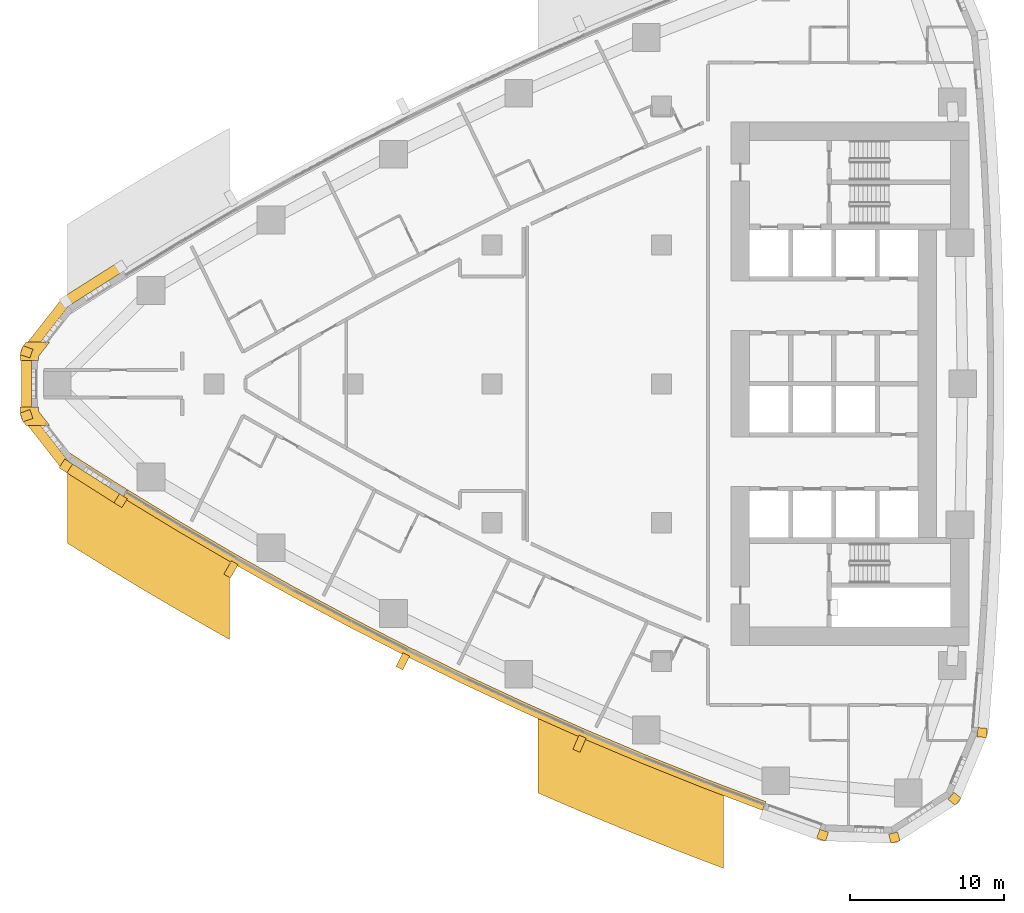
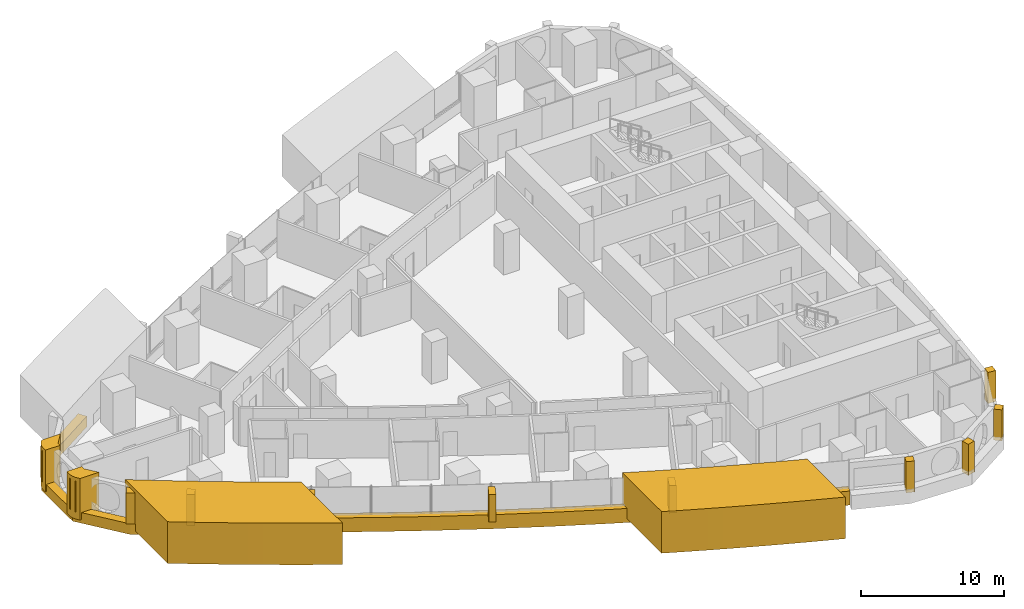
# One storey, part 14 of 18: 17 coverings.
"""IFC4 building model written with IfcOpenShell, lengths in metres."""

from ifc_helpers import new_model, si_unit, direction, frame, frame_2d, origin, place, context, subcontext, project, spatial, polyline, rectangle, outline, extrude, material, layer, layer_set, type_object, element, save


model = new_model("IFC4")

# Units and contexts
model_context = context("Model", 3, precision=1e-05, world=origin(), true_north=direction((0.0, 1.0)))
body_context = subcontext(model_context, "Body", "Model", "MODEL_VIEW")
ifc_project = project(units=[si_unit("LENGTHUNIT", "METRE"), si_unit("AREAUNIT", "SQUARE_METRE"), si_unit("VOLUMEUNIT", "CUBIC_METRE"), si_unit("PLANEANGLEUNIT", "RADIAN"), si_unit("MASSUNIT", "GRAM", prefix="KILO")], contexts=[model_context])

# Site, building, storey
site_placement = place(None, origin())
site = spatial("IfcSite", under=ifc_project, at=site_placement, CompositionType="ELEMENT")
building_placement = place(site_placement, origin())
building = spatial("IfcBuilding", under=site, at=building_placement, Name="Ostrand Prow Hotel Tower", CompositionType="ELEMENT")
storey_placement = place(building_placement, frame((0.0, 0.0, 57.35009765625)))
storey = spatial("IfcBuildingStorey", under=building, at=storey_placement, Name="L12", CompositionType="ELEMENT", Elevation=57.35009765625)

# Coverings
ifc_material_1 = material(Name="Bronze anodised aluminium cladding", Category="aluminium")
ifc_layer_1 = layer(ifc_material_1, 0.60009765625)
ifc_layer_set_1 = layer_set([ifc_layer_1], Name="Bronze anodised aluminium cladding")
covering_type_1 = type_object("IfcCoveringType", Name="Bronze prow band 899x600", PredefinedType="CLADDING", material=ifc_layer_set_1)
covering_1_placement = place(storey_placement, frame((0.0, 0.0, -0.300048828125)))
element("IfcCovering", 1, at=covering_1_placement, inside=storey, type_object=covering_type_1, Name="Bronze prow band", PredefinedType="CLADDING", context=body_context, shape_type="SweptSolid", body=[
    extrude(outline(polyline([(9.77734375, 7.864013671875), (6.2197265625, 5.6083984375), (3.53369140625, 2.178466796875), (3.53369140625, -2.178466796875), (6.2197265625, -5.6083984375), (9.77734375, -7.864013671875), (10.13623046875, -7.286376953125), (6.589111328125, -5.03759765625), (4.176513671875, -1.95654296875), (4.176513671875, 1.95654296875), (6.589111328125, 5.03759765625), (10.13623046875, 7.286376953125), (9.77734375, 7.864013671875)])), origin(), (0.0, 0.0, 1.0), 0.89990234375),
])
ifc_material_2 = material(Name="Bronze anodised aluminium cladding", Category="aluminium")
ifc_layer_2 = layer(ifc_material_2, 0.60009765625)
ifc_layer_set_2 = layer_set([ifc_layer_2], Name="Bronze anodised aluminium cladding")
covering_type_2 = type_object("IfcCoveringType", Name="Bronze spandrel band 1200x600", PredefinedType="CLADDING", material=ifc_layer_set_2)
covering_2_placement = place(storey_placement, frame((0.0, 0.0, -0.300048828125)))
element("IfcCovering", 2, at=covering_2_placement, inside=storey, type_object=covering_type_2, Name="Spandrel band S1", PredefinedType="CLADDING", context=body_context, shape_type="SweptSolid", body=[
    extrude(outline(polyline([(10.08349609375, -7.371337890625), (13.672607421875, -9.555419921875), (17.301513671875, -11.673095703125), (20.968994140625, -13.723876953125), (24.673095703125, -15.70654296875), (28.413330078125, -17.62060546875), (32.188232421875, -19.4658203125), (35.996337890625, -21.2412109375), (39.83642578125, -22.946044921875), (43.70751953125, -24.580078125), (47.607666015625, -26.142578125), (51.5361328125, -27.6328125), (51.743896484375, -27.070068359375), (47.82568359375, -25.58349609375), (43.935791015625, -24.025146484375), (40.074951171875, -22.3955078125), (36.244873046875, -20.695068359375), (32.44677734375, -18.92431640625), (28.681884765625, -17.083984375), (24.951416015625, -15.1748046875), (21.2568359375, -13.197509765625), (17.59912109375, -11.152099609375), (13.97998046875, -9.0400390625), (10.39990234375, -6.86181640625), (10.08349609375, -7.371337890625)])), origin(), (0.0, 0.0, 1.0), 1.199951171875),
])
ifc_material_3 = material(Name="Limestone cladding", Category="masonry")
ifc_layer_3 = layer(ifc_material_3, 5.0)
ifc_layer_set_3 = layer_set([ifc_layer_3], Name="Limestone cladding")
covering_type_3 = type_object("IfcCoveringType", Name="Portal jamb pilaster limestone", PredefinedType="CLADDING", material=ifc_layer_set_3)
covering_3_placement = place(storey_placement, origin())
element("IfcCovering", 3, at=covering_3_placement, inside=storey, type_object=covering_type_3, Name="Portal jamb SA L12", PredefinedType="CLADDING", context=body_context, shape_type="SweptSolid", body=[
    extrude(outline(polyline([(6.5, -4.3837890625), (6.5, -10.319580078125), (7.45458984375, -10.917724609375), (8.4091796875, -11.509521484375), (9.363525390625, -12.09521484375), (10.318115234375, -12.67431640625), (11.272705078125, -13.247314453125), (12.227294921875, -13.81396484375), (13.181884765625, -14.37451171875), (14.136474609375, -14.92919921875), (15.0908203125, -15.4775390625), (16.04541015625, -16.020263671875), (17.0, -16.556640625), (17.0, -10.80859375), (16.04541015625, -10.25634765625), (15.0908203125, -9.697998046875), (14.136474609375, -9.13330078125), (13.181884765625, -8.562255859375), (12.227294921875, -7.98486328125), (11.272705078125, -7.401123046875), (10.318115234375, -6.810791015625), (9.363525390625, -6.214111328125), (8.4091796875, -5.610595703125), (7.45458984375, -5.00048828125), (6.5, -4.3837890625)])), origin(), (0.0, 0.0, 1.0), 3.5498046875),
])
covering_4_placement = place(storey_placement, origin())
element("IfcCovering", 4, at=covering_4_placement, inside=storey, type_object=covering_type_3, Name="Portal jamb SB L12", PredefinedType="CLADDING", context=body_context, shape_type="SweptSolid", body=[
    extrude(outline(polyline([(37.0, -21.037109375), (37.0, -26.50927734375), (38.0, -26.945556640625), (39.0, -27.376220703125), (40.0, -27.801513671875), (41.0, -28.22119140625), (42.0, -28.635498046875), (43.0, -29.044189453125), (44.0, -29.447509765625), (45.0, -29.845703125), (46.0, -30.23828125), (47.0, -30.62548828125), (48.0, -31.0078125), (49.0, -31.384521484375), (49.0, -26.03759765625), (48.0, -25.6513671875), (47.0, -25.259765625), (46.0, -24.862548828125), (45.0, -24.459716796875), (44.0, -24.051513671875), (43.0, -23.637939453125), (42.0, -23.218505859375), (41.0, -22.793701171875), (40.0, -22.363037109375), (39.0, -21.9267578125), (38.0, -21.484619140625), (37.0, -21.037109375)])), origin(), (0.0, 0.0, 1.0), 3.5498046875),
])
ifc_material_4 = material(Name="Limestone cladding", Category="masonry")
ifc_layer_4 = layer(ifc_material_4, 0.5)
ifc_layer_set_4 = layer_set([ifc_layer_4], Name="Limestone cladding")
covering_type_4 = type_object("IfcCoveringType", Name="Precast stone fin 500x900", PredefinedType="CLADDING", material=ifc_layer_set_4)
for number, where, z_axis, x_axis, name in (
    (5, (17.351318359375, -11.58642578125, 0.89990234375), (0.0, 0.0, 1.0), (-0.496138938357, -0.868243142124, 0.0), "Stone fin S 3"),
    (6, (28.458251953125, -17.53125, 0.89990234375), (0.0, 0.0, 1.0), (-0.447506538147, -0.894280659701, 0.0), "Stone fin S 6"),
    (7, (39.876220703125, -22.854248046875, 0.89990234375), (0.0, 0.0, 1.0), (-0.397216867903, -0.917724773477, 0.0), "Stone fin S 9"),
):
    element("IfcCovering", number, at=place(storey_placement, frame(where, z_axis=z_axis, x_axis=x_axis)), inside=storey, type_object=covering_type_4, Name=name, PredefinedType="CLADDING", context=body_context, shape_type="SweptSolid", body=[
        extrude(rectangle(XDim=1.0, YDim=0.5, at=frame_2d((0.5, 0.0))), origin(), (0.0, 0.0, 1.0), 2.35009765625),
    ])
ifc_material_5 = material(Name="Limestone cladding", Category="masonry")
ifc_layer_5 = layer(ifc_material_5, 0.60009765625)
ifc_layer_set_5 = layer_set([ifc_layer_5], Name="Limestone cladding")
covering_type_5 = type_object("IfcCoveringType", Name="Precast stone prow rib 600x600", PredefinedType="CLADDING", material=ifc_layer_set_5)
for number, where, z_axis, x_axis, name in (
    (8, (4.176513671875, 1.95654296875, 0.599853515625), (0.0, 0.0, 1.0), (-0.945254650653, 0.326333641262, 0.0), "Stone prow rib 3"),
    (9, (4.176513671875, -1.95654296875, 0.599853515625), (0.0, 0.0, 1.0), (-0.945254650653, -0.326333641262, 0.0), "Stone prow rib 4"),
    (10, (6.589111328125, -5.03759765625, 0.599853515625), (0.0, 0.0, 1.0), (-0.543295944087, -0.839541253983, 0.0), "Stone prow rib 5"),
    (11, (10.13623046875, -7.286376953125, 0.599853515625), (0.0, 0.0, 1.0), (-0.527738148304, -0.849407114889, 0.0), "Stone prow rib 6"),
):
    element("IfcCovering", number, at=place(storey_placement, frame(where, z_axis=z_axis, x_axis=x_axis)), inside=storey, type_object=covering_type_5, Name=name, PredefinedType="CLADDING", context=body_context, shape_type="SweptSolid", body=[
        extrude(rectangle(XDim=0.679931640625, YDim=0.60009765625, at=frame_2d((0.33984375, 0.0))), origin(), (0.0, 0.0, 1.0), 2.650146484375),
    ])
for number, where, z_axis, x_axis, name in (
    (12, (55.524169921875, -28.956298828125, 0.599853515625), (0.0, 0.0, 1.0), (-0.328773122904, -0.94440893349, 0.0), "Stone corner rib 2a"),
    (13, (59.98681640625, -29.1025390625, 0.599853515625), (0.0, 0.0, 1.0), (0.266111535611, -0.963942244439, 0.0), "Stone corner rib 3a"),
    (14, (63.74169921875, -26.6865234375, 0.599853515625), (0.0, 0.0, 1.0), (0.766985844654, -0.641664019639, 0.0), "Stone corner rib 4a"),
    (15, (65.4580078125, -22.564453125, 0.599853515625), (0.0, 0.0, 1.0), (0.995724747837, -0.09237005221, 0.0), "Stone corner rib 4b"),
):
    element("IfcCovering", number, at=place(storey_placement, frame(where, z_axis=z_axis, x_axis=x_axis)), inside=storey, type_object=covering_type_5, Name=name, PredefinedType="CLADDING", context=body_context, shape_type="SweptSolid", body=[
        extrude(rectangle(XDim=0.60009765625, YDim=0.60009765625, at=frame_2d((0.300048828125, 0.0))), origin(), (0.0, 0.0, 1.0), 2.650146484375),
    ])
ifc_material_6 = material(Name="Limestone cladding", Category="masonry")
ifc_layer_6 = layer(ifc_material_6, 3.0)
ifc_layer_set_6 = layer_set([ifc_layer_6], Name="Limestone cladding")
covering_type_6 = type_object("IfcCoveringType", Name="Prow nose pier limestone", PredefinedType="CLADDING", material=ifc_layer_set_6)
covering_5_placement = place(storey_placement, origin())
element("IfcCovering", 16, at=covering_5_placement, inside=storey, type_object=covering_type_6, Name="Prow spine fin N L12", PredefinedType="CLADDING", context=body_context, shape_type="SweptSolid", body=[
    extrude(outline(polyline([(3.44921875, 1.793701171875), (3.44921875, 1.5), (4.649169921875, 1.5), (4.649169921875, 1.793701171875), (5.35888671875, 2.699951171875), (3.834716796875, 2.699951171875), (3.704345703125, 2.533447265625), (3.638427734375, 2.440673828125), (3.581787109375, 2.341796875), (3.53466796875, 2.23828125), (3.49755859375, 2.130615234375), (3.470703125, 2.02001953125), (3.45458984375, 1.9072265625), (3.44921875, 1.793701171875)])), origin(), (0.0, 0.0, 1.0), 3.5498046875),
])
covering_6_placement = place(storey_placement, origin())
element("IfcCovering", 17, at=covering_6_placement, inside=storey, type_object=covering_type_6, Name="Prow spine fin S L12", PredefinedType="CLADDING", context=body_context, shape_type="SweptSolid", body=[
    extrude(outline(polyline([(3.704345703125, -2.533447265625), (3.834716796875, -2.699951171875), (5.35888671875, -2.699951171875), (4.649169921875, -1.793701171875), (4.649169921875, -1.5), (3.44921875, -1.5), (3.44921875, -1.793701171875), (3.45458984375, -1.9072265625), (3.470703125, -2.02001953125), (3.49755859375, -2.130615234375), (3.53466796875, -2.23828125), (3.581787109375, -2.341796875), (3.638427734375, -2.440673828125), (3.704345703125, -2.533447265625)])), origin(), (0.0, 0.0, 1.0), 3.5498046875),
])

save(model, "model.ifc")
